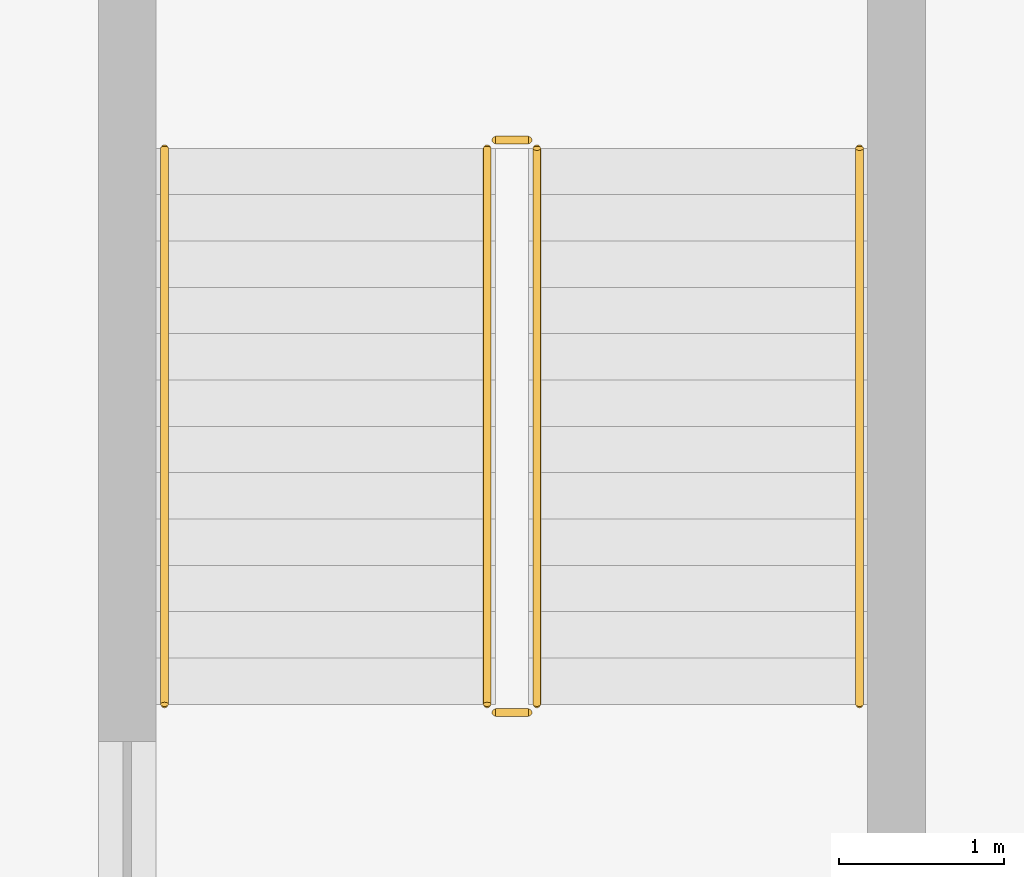
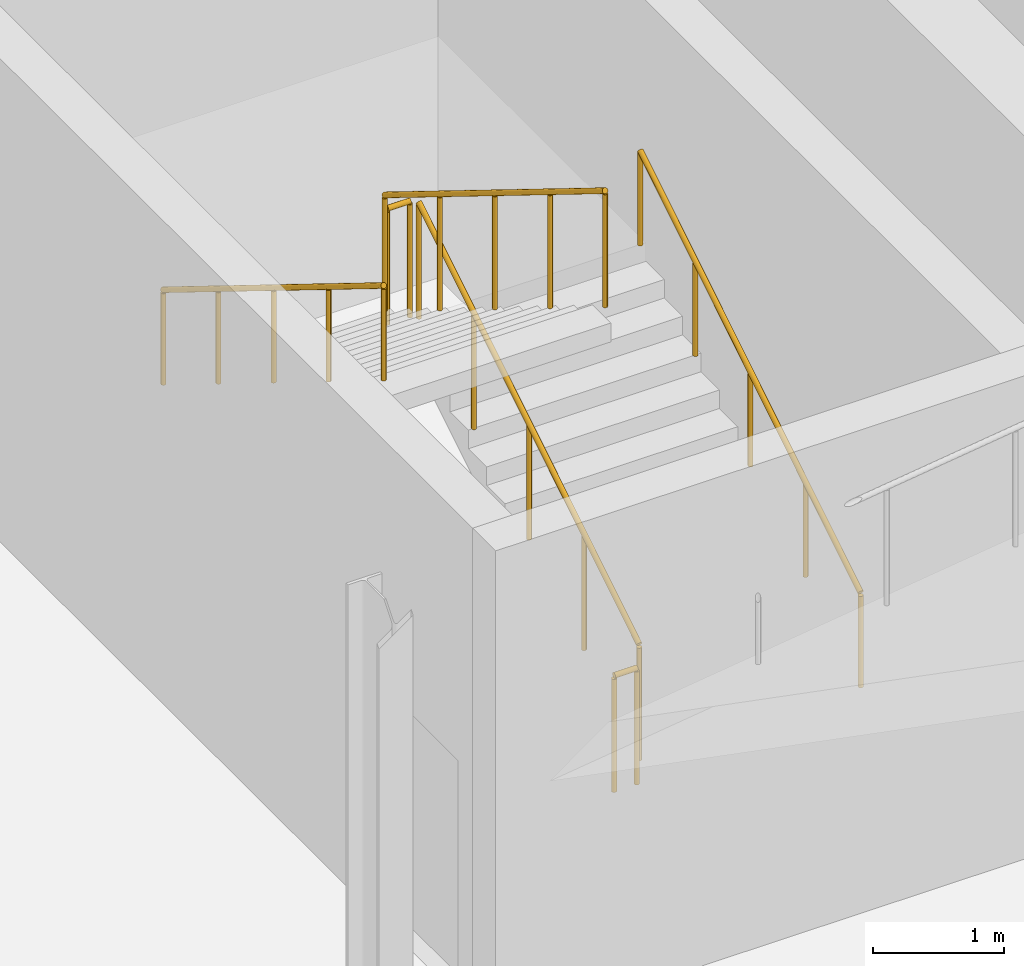
# One storey, part 43 of 45: 6 railings.
"""IFC4 building model written with IfcOpenShell, lengths in metres."""

from ifc_helpers import new_model, si_unit, direction, frame, origin, origin_2d, place, context, subcontext, project, spatial, circle, extrude, material, type_object, element, save


model = new_model("IFC4")

# Units and contexts
model_context = context("Model", 3, precision=1e-05, world=origin(), true_north=direction((0.0, 1.0)))
body_context = subcontext(model_context, "Body", "Model", "MODEL_VIEW")
ifc_project = project(units=[si_unit("LENGTHUNIT", "METRE"), si_unit("AREAUNIT", "SQUARE_METRE"), si_unit("VOLUMEUNIT", "CUBIC_METRE"), si_unit("PLANEANGLEUNIT", "RADIAN"), si_unit("MASSUNIT", "GRAM", prefix="KILO")], contexts=[model_context])

# Site, building, storey
site_placement = place(None, origin())
site = spatial("IfcSite", under=ifc_project, at=site_placement, CompositionType="ELEMENT")
building_placement = place(site_placement, origin())
building = spatial("IfcBuilding", under=site, at=building_placement, Name="Sefraquen Railside Congress Hotel", CompositionType="ELEMENT")
storey_placement = place(building_placement, frame((0.0, 0.0, -4.5)))
storey = spatial("IfcBuildingStorey", under=building, at=storey_placement, Name="B01", CompositionType="ELEMENT", Elevation=-4.5)

# Railings
ifc_material = material(Name="Patinated wrought architectural bronze", Category="metal")
railing_type_1 = type_object("IfcRailingType", Name="TRL-BAL-110", PredefinedType="BALUSTRADE", material=ifc_material)
railing_1_placement = place(storey_placement, frame((168.10009765625, 20.449951171875, 0.173095703125)))
element("IfcRailing", 1, at=railing_1_placement, inside=storey, type_object=railing_type_1, Name="B01 ST-S01 stair guard 1", PredefinedType="BALUSTRADE", context=body_context, shape_type="SweptSolid", body=[
    extrude(circle(Radius=0.02392578125, at=origin_2d()), frame((0.0, 0.0, 1.076171875), z_axis=(0.0, 0.850623216509, 0.525775754039), x_axis=(-1.0, 0.0, 0.0)), (0.0, 0.0, 1.0), 3.9501953125),
    extrude(circle(Radius=0.02099609375, at=origin_2d()), origin(), (0.0, 0.0, 1.0), 1.052001953125),
    extrude(circle(Radius=0.02099609375, at=origin_2d()), frame((0.0, 0.840087890625, 0.519287109375)), (0.0, 0.0, 1.0), 1.052001953125),
    extrude(circle(Radius=0.02099609375, at=origin_2d()), frame((0.0, 1.68017578125, 1.03857421875)), (0.0, 0.0, 1.0), 1.052001953125),
    extrude(circle(Radius=0.02099609375, at=origin_2d()), frame((0.0, 2.52001953125, 1.5576171875)), (0.0, 0.0, 1.0), 1.052001953125),
    extrude(circle(Radius=0.02099609375, at=origin_2d()), frame((0.0, 3.360107421875, 2.076904296875)), (0.0, 0.0, 1.0), 1.052001953125),
])
railing_2_placement = place(storey_placement, frame((168.050048828125, 23.860107421875, 2.25)))
element("IfcRailing", 2, at=railing_2_placement, inside=storey, type_object=railing_type_1, Name="B01 ST-S01 stair guard 2", PredefinedType="BALUSTRADE", context=body_context, shape_type="SweptSolid", body=[
    extrude(circle(Radius=0.02392578125, at=origin_2d()), frame((0.0, 0.0, 1.076171875), z_axis=(-1.0, 0.0, 0.0), x_axis=(0.0, -1.0, 0.0)), (0.0, 0.0, 1.0), 0.199951171875),
    extrude(circle(Radius=0.02099609375, at=origin_2d()), origin(), (0.0, 0.0, 1.0), 1.052001953125),
    extrude(circle(Radius=0.02099609375, at=origin_2d()), frame((-0.199951171875, 0.0, 0.0)), (0.0, 0.0, 1.0), 1.052001953125),
])
railing_3_placement = place(storey_placement, frame((167.800048828125, 23.81005859375, 2.423095703125)))
element("IfcRailing", 3, at=railing_3_placement, inside=storey, type_object=railing_type_1, Name="B01 ST-S01 stair guard 3", PredefinedType="BALUSTRADE", context=body_context, shape_type="SweptSolid", body=[
    extrude(circle(Radius=0.02392578125, at=origin_2d()), frame((0.0, 0.0, 1.076171875), z_axis=(0.0, -0.850623216509, 0.525775754039), x_axis=(1.0, 0.0, 0.0)), (0.0, 0.0, 1.0), 3.9501953125),
    extrude(circle(Radius=0.02099609375, at=origin_2d()), origin(), (0.0, 0.0, 1.0), 1.052001953125),
    extrude(circle(Radius=0.02099609375, at=origin_2d()), frame((0.0, -0.840087890625, 0.519287109375)), (0.0, 0.0, 1.0), 1.052001953125),
    extrude(circle(Radius=0.02099609375, at=origin_2d()), frame((0.0, -1.68017578125, 1.03857421875)), (0.0, 0.0, 1.0), 1.052001953125),
    extrude(circle(Radius=0.02099609375, at=origin_2d()), frame((0.0, -2.52001953125, 1.5576171875)), (0.0, 0.0, 1.0), 1.052001953125),
    extrude(circle(Radius=0.02099609375, at=origin_2d()), frame((0.0, -3.360107421875, 2.076904296875)), (0.0, 0.0, 1.0), 1.052001953125),
])
railing_4_placement = place(storey_placement, frame((168.050048828125, 20.39990234375, 0.0)))
element("IfcRailing", 4, at=railing_4_placement, inside=storey, type_object=railing_type_1, Name="B01 ST-S01 stair guard 4", PredefinedType="BALUSTRADE", context=body_context, shape_type="SweptSolid", body=[
    extrude(circle(Radius=0.02392578125, at=origin_2d()), frame((0.0, 0.0, 1.076171875), z_axis=(-1.0, 0.0, 0.0), x_axis=(0.0, -1.0, 0.0)), (0.0, 0.0, 1.0), 0.199951171875),
    extrude(circle(Radius=0.02099609375, at=origin_2d()), origin(), (0.0, 0.0, 1.0), 1.052001953125),
    extrude(circle(Radius=0.02099609375, at=origin_2d()), frame((-0.199951171875, 0.0, 0.0)), (0.0, 0.0, 1.0), 1.052001953125),
])
railing_type_2 = type_object("IfcRailingType", Name="TRL-HR-090", PredefinedType="HANDRAIL", material=ifc_material)
railing_5_placement = place(storey_placement, frame((170.050048828125, 20.449951171875, 0.173095703125)))
element("IfcRailing", 5, at=railing_5_placement, inside=storey, type_object=railing_type_2, Name="B01 ST-S01 stair handrail 1", PredefinedType="HANDRAIL", context=body_context, shape_type="SweptSolid", body=[
    extrude(circle(Radius=0.02392578125, at=origin_2d()), frame((0.0, 0.0, 0.8759765625), z_axis=(0.0, 0.850623216509, 0.525775754039), x_axis=(-1.0, 0.0, 0.0)), (0.0, 0.0, 1.0), 3.9501953125),
    extrude(circle(Radius=0.02099609375, at=origin_2d()), origin(), (0.0, 0.0, 1.0), 0.851806640625),
    extrude(circle(Radius=0.02099609375, at=origin_2d()), frame((0.0, 0.840087890625, 0.519287109375)), (0.0, 0.0, 1.0), 0.851806640625),
    extrude(circle(Radius=0.02099609375, at=origin_2d()), frame((0.0, 1.68017578125, 1.03857421875)), (0.0, 0.0, 1.0), 0.851806640625),
    extrude(circle(Radius=0.02099609375, at=origin_2d()), frame((0.0, 2.52001953125, 1.5576171875)), (0.0, 0.0, 1.0), 0.851806640625),
    extrude(circle(Radius=0.02099609375, at=origin_2d()), frame((0.0, 3.360107421875, 2.076904296875)), (0.0, 0.0, 1.0), 0.851806640625),
])
railing_6_placement = place(storey_placement, frame((165.85009765625, 23.81005859375, 2.423095703125)))
element("IfcRailing", 6, at=railing_6_placement, inside=storey, type_object=railing_type_2, Name="B01 ST-S01 stair handrail 2", PredefinedType="HANDRAIL", context=body_context, shape_type="SweptSolid", body=[
    extrude(circle(Radius=0.02392578125, at=origin_2d()), frame((0.0, 0.0, 0.8759765625), z_axis=(0.0, -0.850623216509, 0.525775754039), x_axis=(1.0, 0.0, 0.0)), (0.0, 0.0, 1.0), 3.9501953125),
    extrude(circle(Radius=0.02099609375, at=origin_2d()), origin(), (0.0, 0.0, 1.0), 0.851806640625),
    extrude(circle(Radius=0.02099609375, at=origin_2d()), frame((0.0, -0.840087890625, 0.519287109375)), (0.0, 0.0, 1.0), 0.851806640625),
    extrude(circle(Radius=0.02099609375, at=origin_2d()), frame((0.0, -1.68017578125, 1.03857421875)), (0.0, 0.0, 1.0), 0.851806640625),
    extrude(circle(Radius=0.02099609375, at=origin_2d()), frame((0.0, -2.52001953125, 1.5576171875)), (0.0, 0.0, 1.0), 0.851806640625),
    extrude(circle(Radius=0.02099609375, at=origin_2d()), frame((0.0, -3.360107421875, 2.076904296875)), (0.0, 0.0, 1.0), 0.851806640625),
])

save(model, "model.ifc")
